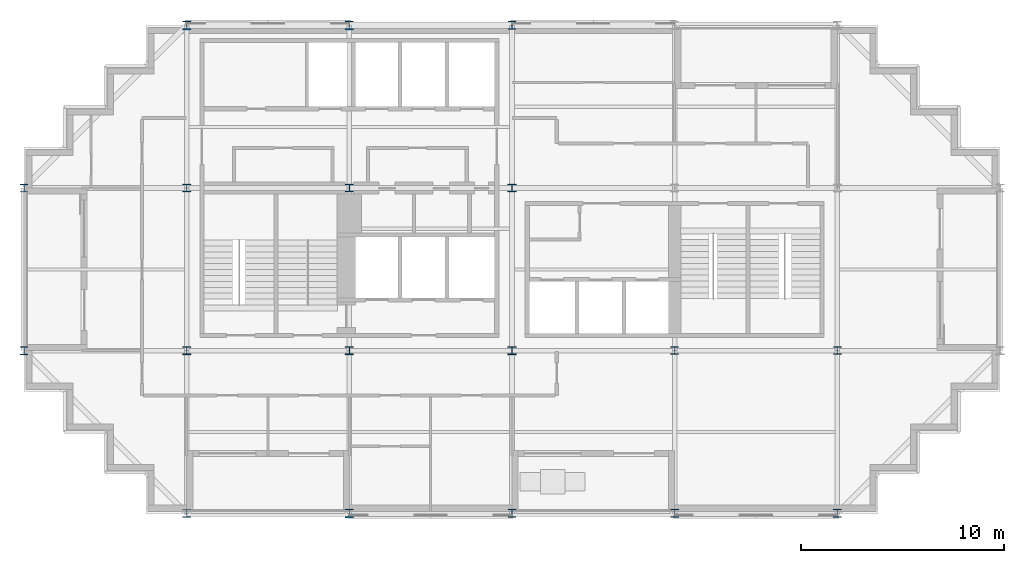
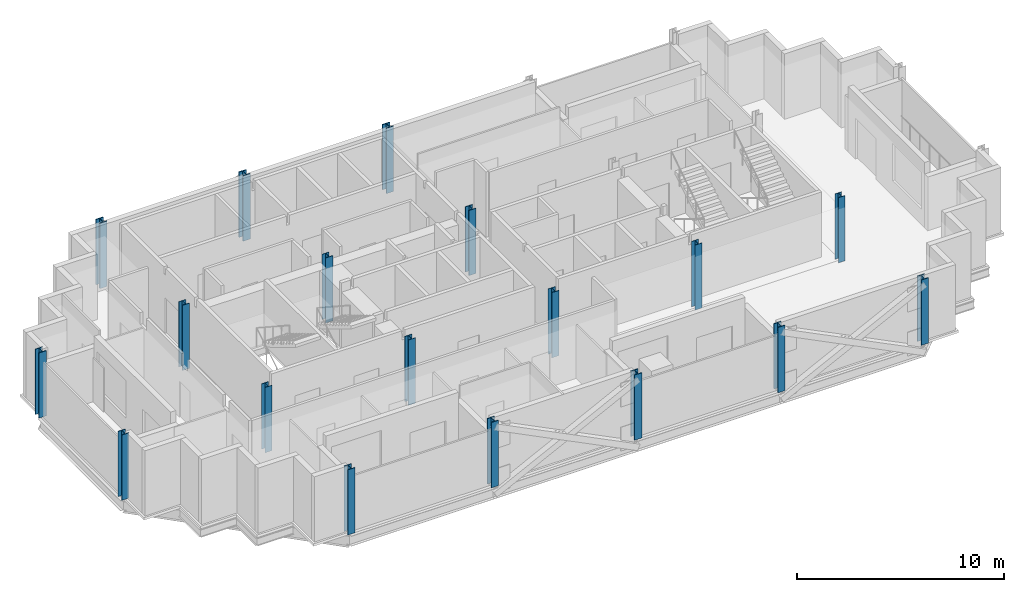
# One storey, part 1 of 10: 18 columns.
"""IFC4 building model written with IfcOpenShell, lengths in metres."""

from ifc_helpers import new_model, si_unit, direction, frame, origin, origin_2d, place, context, subcontext, project, spatial, i_section, extrude, material, material_profile, profile_set, type_object, element, save


model = new_model("IFC4")

# Units and contexts
model_context = context("Model", 3, precision=1e-05, world=origin(), true_north=direction((0.0, 1.0)))
body_context = subcontext(model_context, "Body", "Model", "MODEL_VIEW")
ifc_project = project(units=[si_unit("LENGTHUNIT", "METRE"), si_unit("AREAUNIT", "SQUARE_METRE"), si_unit("VOLUMEUNIT", "CUBIC_METRE"), si_unit("PLANEANGLEUNIT", "RADIAN"), si_unit("MASSUNIT", "GRAM", prefix="KILO")], contexts=[model_context])

# Site, building, storey
site_placement = place(None, origin())
site = spatial("IfcSite", under=ifc_project, at=site_placement, CompositionType="ELEMENT")
building_placement = place(site_placement, origin())
building = spatial("IfcBuilding", under=site, at=building_placement, Name="Immortelle Media Tower", CompositionType="ELEMENT")
storey_placement = place(building_placement, frame((0.0, 0.0, 213.0)))
storey = spatial("IfcBuildingStorey", under=building, at=storey_placement, Name="L45", CompositionType="ELEMENT", Elevation=213.0)

# Columns
ifc_material = material(Name="Steel ASTM A992 Gr 50", Category="steel")
ifc_material_profile_1 = material_profile(ifc_material, i_section(OverallWidth=0.373046875, OverallDepth=0.367919921875, WebThickness=0.014892578125, FlangeThickness=0.02392578125, at=origin_2d()), Name="W14x120")
ifc_profile_set_1 = profile_set([ifc_material_profile_1], Name="Steel ASTM A992 Gr 50")
column_type_1 = type_object("IfcColumnType", Name="W14x120 column", PredefinedType="COLUMN", material=ifc_profile_set_1)
for number, where, z_axis, x_axis, name in (
    (1, (32.0, 8.0, 0.0), (0.0, 0.0, 1.0), (1.0, 0.0, 0.0), "Column 5/B"),
    (2, (40.0, 8.0, 0.0), (0.0, 0.0, 1.0), (1.0, 0.0, 0.0), "Column 6/B"),
):
    element("IfcColumn", number, at=place(storey_placement, frame(where, z_axis=z_axis, x_axis=x_axis)), inside=storey, type_object=column_type_1, Name=name, PredefinedType="COLUMN", context=body_context, shape_type="SweptSolid", body=[
        extrude(i_section(OverallWidth=0.373046875, OverallDepth=0.367919921875, WebThickness=0.014892578125, FlangeThickness=0.02392578125, at=origin_2d()), origin(), (0.0, 0.0, 1.0), 3.85009765625),
    ])
ifc_material_profile_2 = material_profile(ifc_material, i_section(OverallWidth=0.39404296875, OverallDepth=0.3759765625, WebThickness=0.01708984375, FlangeThickness=0.028076171875, at=origin_2d()), Name="W14x145")
ifc_profile_set_2 = profile_set([ifc_material_profile_2], Name="Steel ASTM A992 Gr 50")
column_type_2 = type_object("IfcColumnType", Name="W14x145 column", PredefinedType="COLUMN", material=ifc_profile_set_2)
for number, where, z_axis, x_axis, name in (
    (3, (8.0, 8.0, 0.0), (0.0, 0.0, 1.0), (1.0, 0.0, 0.0), "Column 2/B"),
    (4, (8.0, 16.0, 0.0), (0.0, 0.0, 1.0), (1.0, 0.0, 0.0), "Column 2/C"),
    (5, (16.0, 8.0, 0.0), (0.0, 0.0, 1.0), (1.0, 0.0, 0.0), "Column 3/B"),
    (6, (16.0, 16.0, 0.0), (0.0, 0.0, 1.0), (1.0, 0.0, 0.0), "Column 3/C"),
):
    element("IfcColumn", number, at=place(storey_placement, frame(where, z_axis=z_axis, x_axis=x_axis)), inside=storey, type_object=column_type_2, Name=name, PredefinedType="COLUMN", context=body_context, shape_type="SweptSolid", body=[
        extrude(i_section(OverallWidth=0.39404296875, OverallDepth=0.3759765625, WebThickness=0.01708984375, FlangeThickness=0.028076171875, at=origin_2d()), origin(), (0.0, 0.0, 1.0), 3.85009765625),
    ])
ifc_material_profile_3 = material_profile(ifc_material, i_section(OverallWidth=0.39892578125, OverallDepth=0.385986328125, WebThickness=0.02099609375, FlangeThickness=0.032958984375, at=origin_2d()), Name="W14x176")
ifc_profile_set_3 = profile_set([ifc_material_profile_3], Name="Steel ASTM A992 Gr 50")
column_type_3 = type_object("IfcColumnType", Name="W14x176 column", PredefinedType="COLUMN", material=ifc_profile_set_3)
for number, where, z_axis, x_axis, name in (
    (7, (24.0, 8.0, 0.0), (0.0, 0.0, 1.0), (1.0, 0.0, 0.0), "Column 4/B"),
    (8, (24.0, 16.0, 0.0), (0.0, 0.0, 1.0), (1.0, 0.0, 0.0), "Column 4/C"),
):
    element("IfcColumn", number, at=place(storey_placement, frame(where, z_axis=z_axis, x_axis=x_axis)), inside=storey, type_object=column_type_3, Name=name, PredefinedType="COLUMN", context=body_context, shape_type="SweptSolid", body=[
        extrude(i_section(OverallWidth=0.39892578125, OverallDepth=0.385986328125, WebThickness=0.02099609375, FlangeThickness=0.032958984375, at=origin_2d()), origin(), (0.0, 0.0, 1.0), 3.85009765625),
    ])
ifc_material_profile_4 = material_profile(ifc_material, i_section(OverallWidth=0.40087890625, OverallDepth=0.39892578125, WebThickness=0.02490234375, FlangeThickness=0.0400390625, at=origin_2d()), Name="W14x211")
ifc_profile_set_4 = profile_set([ifc_material_profile_4], Name="Steel ASTM A992 Gr 50")
column_type_4 = type_object("IfcColumnType", Name="W14x211 column", PredefinedType="COLUMN", material=ifc_profile_set_4)
for number, where, z_axis, x_axis, name in (
    (9, (0.0, 8.0, 0.0), (0.0, 0.0, 1.0), (1.0, 0.0, 0.0), "Column 1/B"),
    (10, (0.0, 16.0, 0.0), (0.0, 0.0, 1.0), (1.0, 0.0, 0.0), "Column 1/C"),
    (11, (8.0, 0.0, 0.0), (0.0, 0.0, 1.0), (1.0, 0.0, 0.0), "Column 2/A"),
):
    element("IfcColumn", number, at=place(storey_placement, frame(where, z_axis=z_axis, x_axis=x_axis)), inside=storey, type_object=column_type_4, Name=name, PredefinedType="COLUMN", context=body_context, shape_type="SweptSolid", body=[
        extrude(i_section(OverallWidth=0.40087890625, OverallDepth=0.39892578125, WebThickness=0.02490234375, FlangeThickness=0.0400390625, at=origin_2d()), origin(), (0.0, 0.0, 1.0), 3.85009765625),
    ])
ifc_material_profile_5 = material_profile(ifc_material, i_section(OverallWidth=0.406005859375, OverallDepth=0.4169921875, WebThickness=0.030029296875, FlangeThickness=0.048095703125, at=origin_2d()), Name="W14x257")
ifc_profile_set_5 = profile_set([ifc_material_profile_5], Name="Steel ASTM A992 Gr 50")
column_type_5 = type_object("IfcColumnType", Name="W14x257 column", PredefinedType="COLUMN", material=ifc_profile_set_5)
for number, where, z_axis, x_axis, name in (
    (12, (24.0, 0.0, 0.0), (0.0, 0.0, 1.0), (1.0, 0.0, 0.0), "Column 4/A"),
    (13, (24.0, 24.0, 0.0), (0.0, 0.0, 1.0), (1.0, 0.0, 0.0), "Column 4/D"),
    (14, (32.0, 0.0, 0.0), (0.0, 0.0, 1.0), (1.0, 0.0, 0.0), "Column 5/A"),
    (15, (40.0, 0.0, 0.0), (0.0, 0.0, 1.0), (1.0, 0.0, 0.0), "Column 6/A"),
):
    element("IfcColumn", number, at=place(storey_placement, frame(where, z_axis=z_axis, x_axis=x_axis)), inside=storey, type_object=column_type_5, Name=name, PredefinedType="COLUMN", context=body_context, shape_type="SweptSolid", body=[
        extrude(i_section(OverallWidth=0.406005859375, OverallDepth=0.4169921875, WebThickness=0.030029296875, FlangeThickness=0.048095703125, at=origin_2d()), origin(), (0.0, 0.0, 1.0), 3.85009765625),
    ])
ifc_material_profile_6 = material_profile(ifc_material, i_section(OverallWidth=0.410888671875, OverallDepth=0.43408203125, WebThickness=0.035888671875, FlangeThickness=0.056884765625, at=origin_2d()), Name="W14x311")
ifc_profile_set_6 = profile_set([ifc_material_profile_6], Name="Steel ASTM A992 Gr 50")
column_type_6 = type_object("IfcColumnType", Name="W14x311 column", PredefinedType="COLUMN", material=ifc_profile_set_6)
for number, where, z_axis, x_axis, name in (
    (16, (8.0, 24.0, 0.0), (0.0, 0.0, 1.0), (1.0, 0.0, 0.0), "Column 2/D"),
    (17, (16.0, 0.0, 0.0), (0.0, 0.0, 1.0), (1.0, 0.0, 0.0), "Column 3/A"),
    (18, (16.0, 24.0, 0.0), (0.0, 0.0, 1.0), (1.0, 0.0, 0.0), "Column 3/D"),
):
    element("IfcColumn", number, at=place(storey_placement, frame(where, z_axis=z_axis, x_axis=x_axis)), inside=storey, type_object=column_type_6, Name=name, PredefinedType="COLUMN", context=body_context, shape_type="SweptSolid", body=[
        extrude(i_section(OverallWidth=0.410888671875, OverallDepth=0.43408203125, WebThickness=0.035888671875, FlangeThickness=0.056884765625, at=origin_2d()), origin(), (0.0, 0.0, 1.0), 3.85009765625),
    ])

save(model, "model.ifc")
